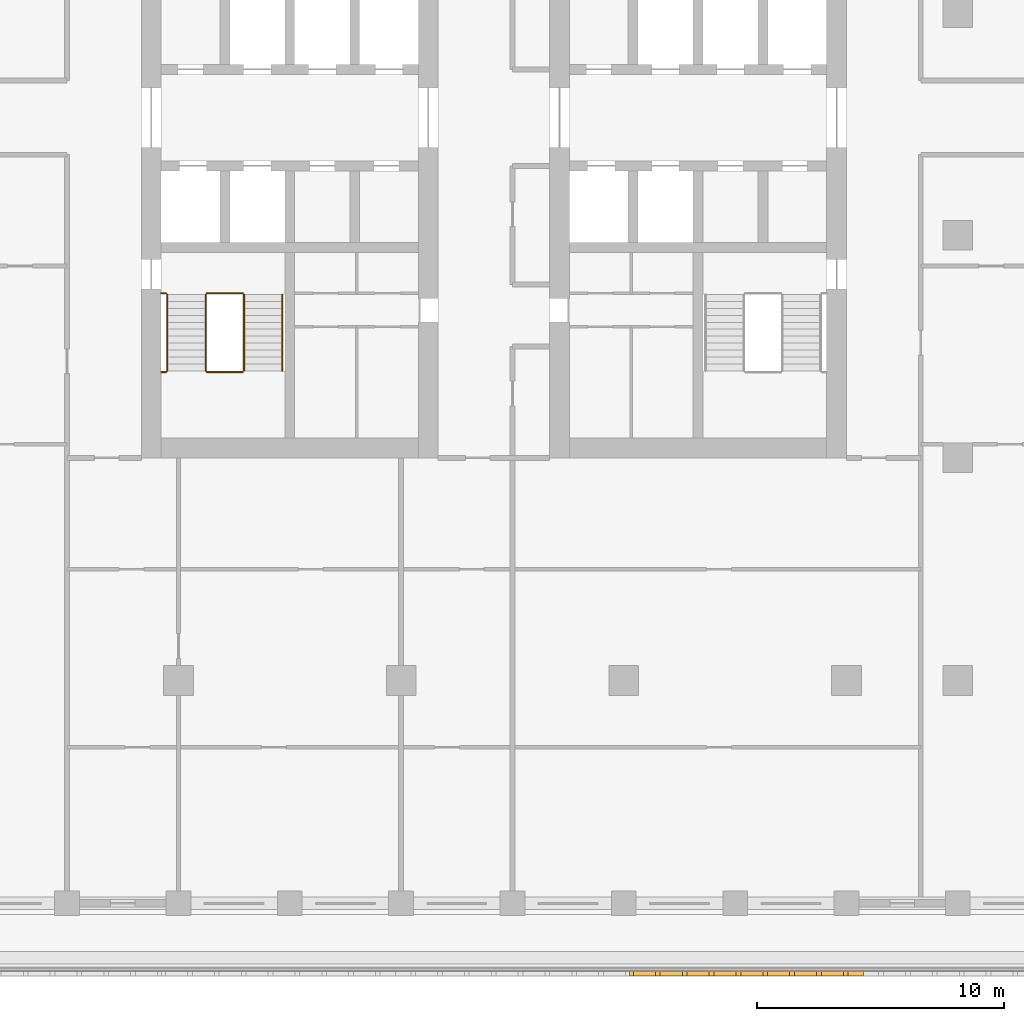
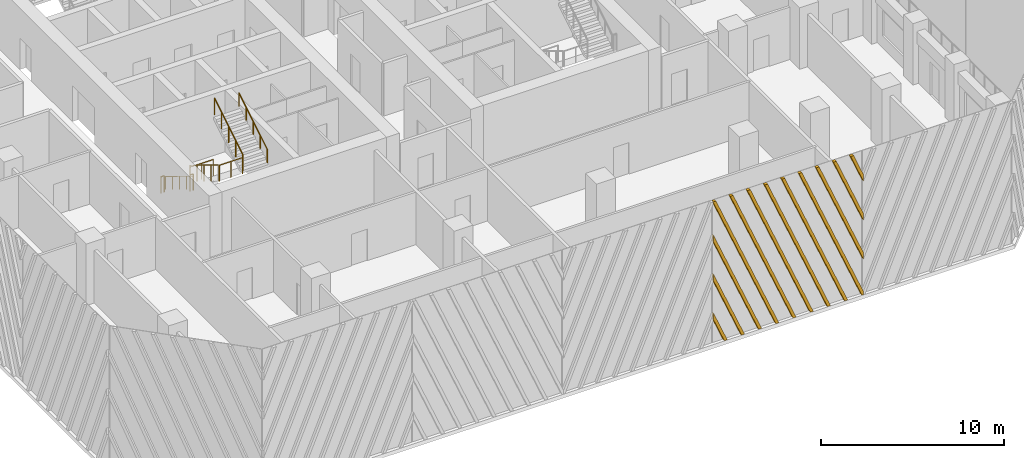
# One storey, part 11 of 17: 8 railings, 1 shading device.
"""IFC4 building model written with IfcOpenShell, lengths in metres."""

from ifc_helpers import new_model, si_unit, direction, frame, origin, origin_2d, place, context, subcontext, project, spatial, polyline, circle, outline, extrude, source, transform, mapped, material, type_object, element, save


model = new_model("IFC4")

# Units and contexts
model_context = context("Model", 3, precision=1e-05, world=origin(), true_north=direction((0.0, 1.0)))
body_context = subcontext(model_context, "Body", "Model", "MODEL_VIEW")
ifc_project = project(units=[si_unit("LENGTHUNIT", "METRE"), si_unit("AREAUNIT", "SQUARE_METRE"), si_unit("VOLUMEUNIT", "CUBIC_METRE"), si_unit("PLANEANGLEUNIT", "RADIAN"), si_unit("MASSUNIT", "GRAM", prefix="KILO")], contexts=[model_context])

# Site, building, storey
site_placement = place(None, origin())
site = spatial("IfcSite", under=ifc_project, at=site_placement, CompositionType="ELEMENT")
building_placement = place(site_placement, origin())
building = spatial("IfcBuilding", under=site, at=building_placement, Name="Corbel Stack Research Tower", CompositionType="ELEMENT")
storey_placement = place(building_placement, frame((0.0, 0.0, 216.10009765625)))
storey = spatial("IfcBuildingStorey", under=building, at=storey_placement, Name="L49", CompositionType="ELEMENT", Elevation=216.10009765625)

# Railings
ifc_material_1 = material(Name="Steel S355", Category="steel")
railing_type_1 = type_object("IfcRailingType", Name="Stair guard 1100", PredefinedType="GUARDRAIL", material=ifc_material_1)
railing_1_placement = place(storey_placement, frame((-7.89990234375, -2.39990234375, 0.170654296875)))
element("IfcRailing", 1, at=railing_1_placement, inside=storey, type_object=railing_type_1, Name="L49 ST-W1 stair guard 1", PredefinedType="GUARDRAIL", context=body_context, shape_type="SweptSolid", body=[
    extrude(circle(Radius=0.02392578125, at=origin_2d()), frame((0.0, 0.0, 1.076171875), z_axis=(0.0, -0.853666305674, 0.52082035152), x_axis=(1.0, 0.0, 0.0)), (0.0, 0.0, 1.0), 3.608154296875),
    extrude(circle(Radius=0.02099609375, at=origin_2d()), origin(), (0.0, 0.0, 1.0), 1.052001953125),
    extrude(circle(Radius=0.02099609375, at=origin_2d()), frame((0.0, -0.77001953125, 0.4697265625)), (0.0, 0.0, 1.0), 1.052001953125),
    extrude(circle(Radius=0.02099609375, at=origin_2d()), frame((0.0, -1.5400390625, 0.939453125)), (0.0, 0.0, 1.0), 1.052001953125),
    extrude(circle(Radius=0.02099609375, at=origin_2d()), frame((0.0, -2.31005859375, 1.409423828125)), (0.0, 0.0, 1.0), 1.052001953125),
    extrude(circle(Radius=0.02099609375, at=origin_2d()), frame((0.0, -3.080078125, 1.879150390625)), (0.0, 0.0, 1.0), 1.052001953125),
])
railing_2_placement = place(storey_placement, frame((-7.85009765625, -5.530029296875, 2.0498046875)))
element("IfcRailing", 2, at=railing_2_placement, inside=storey, type_object=railing_type_1, Name="L49 ST-W1 stair guard 2", PredefinedType="GUARDRAIL", context=body_context, shape_type="SweptSolid", body=[
    extrude(circle(Radius=0.02392578125, at=origin_2d()), frame((0.0, 0.0, 1.076171875), z_axis=(1.0, 0.0, 0.0), x_axis=(0.0, 1.0, 0.0)), (0.0, 0.0, 1.0), 1.4501953125),
    extrude(circle(Radius=0.02099609375, at=origin_2d()), origin(), (0.0, 0.0, 1.0), 1.052001953125),
    extrude(circle(Radius=0.02099609375, at=origin_2d()), frame((0.72509765625, 0.0, 0.0)), (0.0, 0.0, 1.0), 1.052001953125),
    extrude(circle(Radius=0.02099609375, at=origin_2d()), frame((1.4501953125, 0.0, 0.0)), (0.0, 0.0, 1.0), 1.052001953125),
])
railing_3_placement = place(storey_placement, frame((-9.699951171875, -5.530029296875, 2.0498046875)))
element("IfcRailing", 3, at=railing_3_placement, inside=storey, type_object=railing_type_1, Name="L49 ST-W1 stair guard 3", PredefinedType="GUARDRAIL", context=body_context, shape_type="SweptSolid", body=[
    extrude(circle(Radius=0.02392578125, at=origin_2d()), frame((0.0, 0.0, 1.076171875), z_axis=(1.0, 0.0, 0.0), x_axis=(0.0, 1.0, 0.0)), (0.0, 0.0, 1.0), 0.199951171875),
    extrude(circle(Radius=0.02099609375, at=origin_2d()), origin(), (0.0, 0.0, 1.0), 1.052001953125),
    extrude(circle(Radius=0.02099609375, at=origin_2d()), frame((0.199951171875, 0.0, 0.0)), (0.0, 0.0, 1.0), 1.052001953125),
])
railing_4_placement = place(storey_placement, frame((-6.35009765625, -5.47998046875, 2.220703125)))
element("IfcRailing", 4, at=railing_4_placement, inside=storey, type_object=railing_type_1, Name="L49 ST-W1 stair guard 4", PredefinedType="GUARDRAIL", context=body_context, shape_type="SweptSolid", body=[
    extrude(circle(Radius=0.02392578125, at=origin_2d()), frame((0.0, 0.0, 1.076171875), z_axis=(0.0, 0.853666305674, 0.52082035152), x_axis=(-1.0, 0.0, 0.0)), (0.0, 0.0, 1.0), 3.608154296875),
    extrude(circle(Radius=0.02099609375, at=origin_2d()), origin(), (0.0, 0.0, 1.0), 1.052001953125),
    extrude(circle(Radius=0.02099609375, at=origin_2d()), frame((0.0, 0.77001953125, 0.4697265625)), (0.0, 0.0, 1.0), 1.052001953125),
    extrude(circle(Radius=0.02099609375, at=origin_2d()), frame((0.0, 1.5400390625, 0.939453125)), (0.0, 0.0, 1.0), 1.052001953125),
    extrude(circle(Radius=0.02099609375, at=origin_2d()), frame((0.0, 2.31005859375, 1.409423828125)), (0.0, 0.0, 1.0), 1.052001953125),
    extrude(circle(Radius=0.02099609375, at=origin_2d()), frame((0.0, 3.080078125, 1.879150390625)), (0.0, 0.0, 1.0), 1.052001953125),
])
railing_5_placement = place(storey_placement, frame((-7.85009765625, -2.35009765625, 0.0)))
element("IfcRailing", 5, at=railing_5_placement, inside=storey, type_object=railing_type_1, Name="L49 ST-W1 stair guard 5", PredefinedType="GUARDRAIL", context=body_context, shape_type="SweptSolid", body=[
    extrude(circle(Radius=0.02392578125, at=origin_2d()), frame((0.0, 0.0, 1.076171875), z_axis=(1.0, 0.0, 0.0), x_axis=(0.0, 1.0, 0.0)), (0.0, 0.0, 1.0), 1.4501953125),
    extrude(circle(Radius=0.02099609375, at=origin_2d()), origin(), (0.0, 0.0, 1.0), 1.052001953125),
    extrude(circle(Radius=0.02099609375, at=origin_2d()), frame((0.72509765625, 0.0, 0.0)), (0.0, 0.0, 1.0), 1.052001953125),
    extrude(circle(Radius=0.02099609375, at=origin_2d()), frame((1.4501953125, 0.0, 0.0)), (0.0, 0.0, 1.0), 1.052001953125),
])
railing_6_placement = place(storey_placement, frame((-9.699951171875, -2.35009765625, 0.0)))
element("IfcRailing", 6, at=railing_6_placement, inside=storey, type_object=railing_type_1, Name="L49 ST-W1 stair guard 6", PredefinedType="GUARDRAIL", context=body_context, shape_type="SweptSolid", body=[
    extrude(circle(Radius=0.02392578125, at=origin_2d()), frame((0.0, 0.0, 1.076171875), z_axis=(1.0, 0.0, 0.0), x_axis=(0.0, 1.0, 0.0)), (0.0, 0.0, 1.0), 0.199951171875),
    extrude(circle(Radius=0.02099609375, at=origin_2d()), origin(), (0.0, 0.0, 1.0), 1.052001953125),
    extrude(circle(Radius=0.02099609375, at=origin_2d()), frame((0.199951171875, 0.0, 0.0)), (0.0, 0.0, 1.0), 1.052001953125),
])
ifc_material_2 = material(Name="Steel S355", Category="steel")
railing_type_2 = type_object("IfcRailingType", Name="Stair handrail 900", PredefinedType="HANDRAIL", material=ifc_material_2)
railing_7_placement = place(storey_placement, frame((-9.449951171875, -2.39990234375, 0.170654296875)))
element("IfcRailing", 7, at=railing_7_placement, inside=storey, type_object=railing_type_2, Name="L49 ST-W1 stair handrail 1", PredefinedType="HANDRAIL", context=body_context, shape_type="SweptSolid", body=[
    extrude(circle(Radius=0.02392578125, at=origin_2d()), frame((0.0, 0.0, 0.8759765625), z_axis=(0.0, -0.853666305674, 0.52082035152), x_axis=(1.0, 0.0, 0.0)), (0.0, 0.0, 1.0), 3.608154296875),
    extrude(circle(Radius=0.02099609375, at=origin_2d()), origin(), (0.0, 0.0, 1.0), 0.851806640625),
    extrude(circle(Radius=0.02099609375, at=origin_2d()), frame((0.0, -0.77001953125, 0.4697265625)), (0.0, 0.0, 1.0), 0.851806640625),
    extrude(circle(Radius=0.02099609375, at=origin_2d()), frame((0.0, -1.5400390625, 0.939453125)), (0.0, 0.0, 1.0), 0.851806640625),
    extrude(circle(Radius=0.02099609375, at=origin_2d()), frame((0.0, -2.31005859375, 1.409423828125)), (0.0, 0.0, 1.0), 0.851806640625),
    extrude(circle(Radius=0.02099609375, at=origin_2d()), frame((0.0, -3.080078125, 1.879150390625)), (0.0, 0.0, 1.0), 0.851806640625),
])
railing_8_placement = place(storey_placement, frame((-4.800048828125, -5.47998046875, 2.220703125)))
element("IfcRailing", 8, at=railing_8_placement, inside=storey, type_object=railing_type_2, Name="L49 ST-W1 stair handrail 2", PredefinedType="HANDRAIL", context=body_context, shape_type="SweptSolid", body=[
    extrude(circle(Radius=0.02392578125, at=origin_2d()), frame((0.0, 0.0, 0.8759765625), z_axis=(0.0, 0.853666305674, 0.52082035152), x_axis=(-1.0, 0.0, 0.0)), (0.0, 0.0, 1.0), 3.608154296875),
    extrude(circle(Radius=0.02099609375, at=origin_2d()), origin(), (0.0, 0.0, 1.0), 0.851806640625),
    extrude(circle(Radius=0.02099609375, at=origin_2d()), frame((0.0, 0.77001953125, 0.4697265625)), (0.0, 0.0, 1.0), 0.851806640625),
    extrude(circle(Radius=0.02099609375, at=origin_2d()), frame((0.0, 1.5400390625, 0.939453125)), (0.0, 0.0, 1.0), 0.851806640625),
    extrude(circle(Radius=0.02099609375, at=origin_2d()), frame((0.0, 2.31005859375, 1.409423828125)), (0.0, 0.0, 1.0), 0.851806640625),
    extrude(circle(Radius=0.02099609375, at=origin_2d()), frame((0.0, 3.080078125, 1.879150390625)), (0.0, 0.0, 1.0), 0.851806640625),
])

# Shading device
ifc_material_3 = material(Name="Precast terracotta", Category="masonry")
shading_device_type = type_object("IfcShadingDeviceType", Name="Terracotta screen panel", PredefinedType="USERDEFINED", material=ifc_material_3)
shared_shape = source(origin(), body_context, "Body", "SweptSolid", [
    extrude(outline(polyline([(0.873291015625, 0.0), (0.0, 2.091064453125), (0.0, 1.635986328125), (0.683349609375, 0.0), (0.873291015625, 0.0)])), frame((0.0, 0.0, 0.0), z_axis=(0.0, -1.0, 0.0), x_axis=(1.0, 0.0, 0.0)), (0.0, 0.0, 1.0), 0.179931640625),
    extrude(outline(polyline([(1.9580078125, 0.0), (0.0, 4.688232421875), (0.0, 4.2333984375), (1.76806640625, 0.0), (1.9580078125, 0.0)])), frame((0.0, 0.0, 0.0), z_axis=(0.0, -1.0, 0.0), x_axis=(1.0, 0.0, 0.0)), (0.0, 0.0, 1.0), 0.179931640625),
    extrude(outline(polyline([(3.04248046875, 0.0), (0.0, 7.285400390625), (0.0, 6.83056640625), (2.8525390625, 0.0), (3.04248046875, 0.0)])), frame((0.0, 0.0, 0.0), z_axis=(0.0, -1.0, 0.0), x_axis=(1.0, 0.0, 0.0)), (0.0, 0.0, 1.0), 0.179931640625),
    extrude(outline(polyline([(4.127197265625, 0.0), (0.159912109375, 9.5), (0.0, 9.5), (0.0, 9.427734375), (3.937255859375, 0.0), (4.127197265625, 0.0)])), frame((0.0, 0.0, 0.0), z_axis=(0.0, -1.0, 0.0), x_axis=(1.0, 0.0, 0.0)), (0.0, 0.0, 1.0), 0.179931640625),
    extrude(outline(polyline([(5.2119140625, 0.0), (1.244384765625, 9.5), (1.054443359375, 9.5), (5.02197265625, 0.0), (5.2119140625, 0.0)])), frame((0.0, 0.0, 0.0), z_axis=(0.0, -1.0, 0.0), x_axis=(1.0, 0.0, 0.0)), (0.0, 0.0, 1.0), 0.179931640625),
    extrude(outline(polyline([(6.296630859375, 0.0), (2.3291015625, 9.5), (2.13916015625, 9.5), (6.106689453125, 0.0), (6.296630859375, 0.0)])), frame((0.0, 0.0, 0.0), z_axis=(0.0, -1.0, 0.0), x_axis=(1.0, 0.0, 0.0)), (0.0, 0.0, 1.0), 0.179931640625),
    extrude(outline(polyline([(7.38134765625, 0.0), (3.413818359375, 9.5), (3.223876953125, 9.5), (7.19140625, 0.0), (7.38134765625, 0.0)])), frame((0.0, 0.0, 0.0), z_axis=(0.0, -1.0, 0.0), x_axis=(1.0, 0.0, 0.0)), (0.0, 0.0, 1.0), 0.179931640625),
    extrude(outline(polyline([(8.466064453125, 0.0), (4.49853515625, 9.5), (4.30859375, 9.5), (8.27587890625, 0.0), (8.466064453125, 0.0)])), frame((0.0, 0.0, 0.0), z_axis=(0.0, -1.0, 0.0), x_axis=(1.0, 0.0, 0.0)), (0.0, 0.0, 1.0), 0.179931640625),
    extrude(outline(polyline([(9.45556640625, 0.0), (9.45556640625, 0.2275390625), (5.5830078125, 9.5), (5.39306640625, 9.5), (9.360595703125, 0.0), (9.45556640625, 0.0)])), frame((0.0, 0.0, 0.0), z_axis=(0.0, -1.0, 0.0), x_axis=(1.0, 0.0, 0.0)), (0.0, 0.0, 1.0), 0.179931640625),
    extrude(outline(polyline([(6.667724609375, 9.5), (6.477783203125, 9.5), (9.45556640625, 2.36962890625), (9.45556640625, 2.82470703125), (6.667724609375, 9.5)])), frame((0.0, 0.0, 0.0), z_axis=(0.0, -1.0, 0.0), x_axis=(1.0, 0.0, 0.0)), (0.0, 0.0, 1.0), 0.179931640625),
    extrude(outline(polyline([(7.75244140625, 9.5), (7.5625, 9.5), (9.45556640625, 4.966796875), (9.45556640625, 5.421875), (7.75244140625, 9.5)])), frame((0.0, 0.0, 0.0), z_axis=(0.0, -1.0, 0.0), x_axis=(1.0, 0.0, 0.0)), (0.0, 0.0, 1.0), 0.179931640625),
    extrude(outline(polyline([(8.837158203125, 9.5), (8.647216796875, 9.5), (9.45556640625, 7.564208984375), (9.45556640625, 8.01904296875), (8.837158203125, 9.5)])), frame((0.0, 0.0, 0.0), z_axis=(0.0, -1.0, 0.0), x_axis=(1.0, 0.0, 0.0)), (0.0, 0.0, 1.0), 0.179931640625),
])
shading_device_placement = place(storey_placement, frame((9.227783203125, -29.75, 0.0), z_axis=(0.0, 0.0, 1.0), x_axis=(1.0, 0.0, 0.0)))
element("IfcShadingDevice", 9, at=shading_device_placement, inside=storey, type_object=shading_device_type, Name="Terracotta screen L49 S4", ObjectType="SCREEN", PredefinedType="USERDEFINED", context=body_context, shape_type="MappedRepresentation", body=[
    mapped(shared_shape, transform((0.0, 0.0, 0.0))),
])

save(model, "model.ifc")
